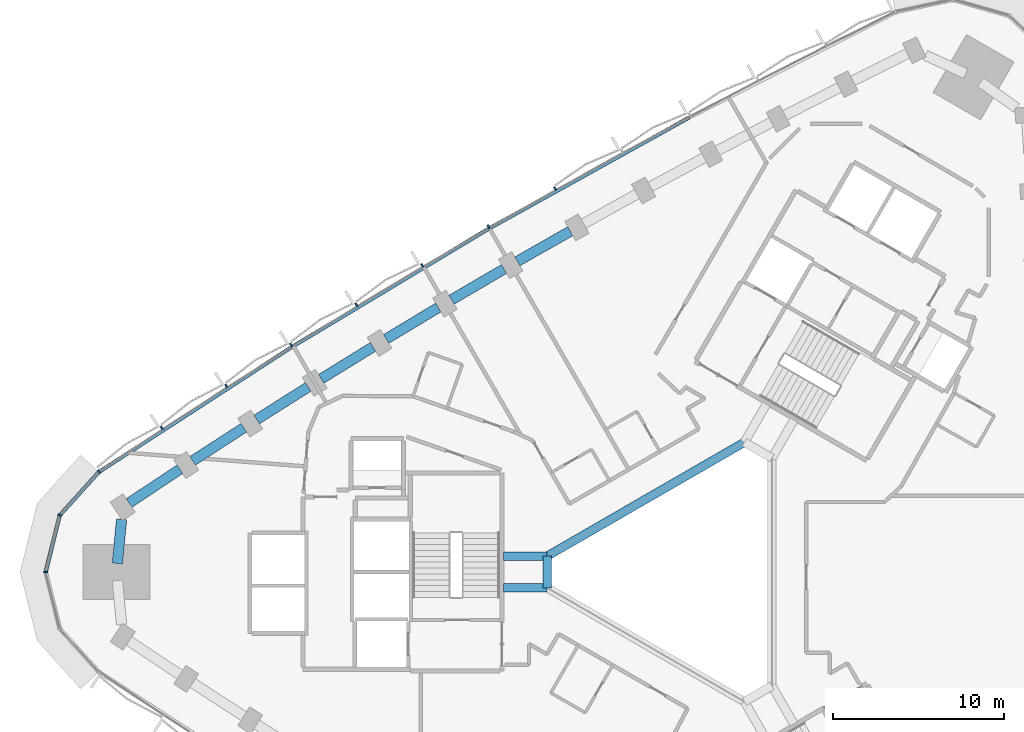
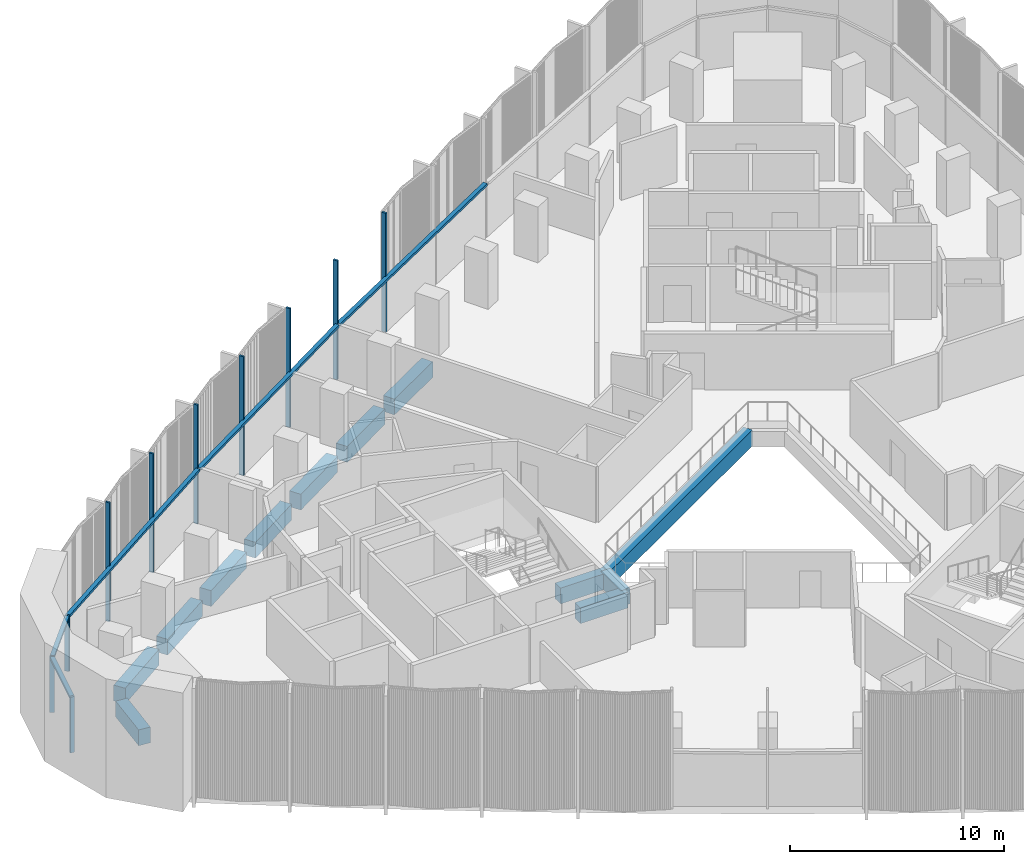
# One storey, part 4 of 15: 15 members, 12 beams, 1 element without a shape of its own.
"""IFC4 building model written with IfcOpenShell, lengths in metres."""

from ifc_helpers import new_model, si_unit, direction, frame, origin, origin_2d, place, context, subcontext, project, spatial, rectangle, extrude, material, material_profile, profile_set, type_object, element, aggregate, save


model = new_model("IFC4")

# Units and contexts
model_context = context("Model", 3, precision=1e-05, world=origin(), true_north=direction((0.0, 1.0)))
body_context = subcontext(model_context, "Body", "Model", "MODEL_VIEW")
ifc_project = project(units=[si_unit("LENGTHUNIT", "METRE"), si_unit("AREAUNIT", "SQUARE_METRE"), si_unit("VOLUMEUNIT", "CUBIC_METRE"), si_unit("PLANEANGLEUNIT", "RADIAN"), si_unit("MASSUNIT", "GRAM", prefix="KILO")], contexts=[model_context])

# Site, building, storey
site_placement = place(None, origin())
site = spatial("IfcSite", under=ifc_project, at=site_placement, CompositionType="ELEMENT")
building_placement = place(site_placement, origin())
building = spatial("IfcBuilding", under=site, at=building_placement, Name="Tamra Quay Hotel Tower", CompositionType="ELEMENT")
storey_placement = place(building_placement, frame((0.0, 0.0, 101.0)))
storey = spatial("IfcBuildingStorey", under=building, at=storey_placement, Name="L24", CompositionType="ELEMENT", Elevation=101.0)

# Beams
ifc_material_1 = material(Name="Concrete M60", Category="concrete")
ifc_material_profile_1 = material_profile(ifc_material_1, rectangle(XDim=0.5, YDim=0.89990234375, at=origin_2d()), Name="ATRIUM EDGE BEAM RC 500x900")
ifc_profile_set_1 = profile_set([ifc_material_profile_1], Name="Concrete M60")
beam_type_1 = type_object("IfcBeamType", Name="ATRIUM EDGE BEAM RC 500x900", PredefinedType="BEAM", material=ifc_profile_set_1)
beam_1_placement = place(storey_placement, frame((-8.199951171875, -0.923828125, -0.875), z_axis=(0.0, 1.0, 0.0), x_axis=(-1.0, 0.0, 0.0)))
element("IfcBeam", 1, at=beam_1_placement, inside=storey, type_object=beam_type_1, Name="BM-AB3-L24", PredefinedType="BEAM", context=body_context, shape_type="SweptSolid", body=[
    extrude(rectangle(XDim=0.5, YDim=0.89990234375, at=origin_2d()), origin(), (0.0, 0.0, 1.0), 1.84765625),
])
beam_2_placement = place(storey_placement, frame((-8.199951171875, 0.923828125, -0.875), z_axis=(0.866029440693, 0.499993007805, 0.0), x_axis=(-0.499993007805, 0.866029440693, 0.0)))
element("IfcBeam", 2, at=beam_2_placement, inside=storey, type_object=beam_type_1, Name="BM-AB4-L24", PredefinedType="BEAM", context=body_context, shape_type="SweptSolid", body=[
    extrude(rectangle(XDim=0.5, YDim=0.89990234375, at=origin_2d()), origin(), (0.0, 0.0, 1.0), 13.279052734375),
])
ifc_material_profile_2 = material_profile(ifc_material_1, rectangle(XDim=0.5, YDim=0.89990234375, at=origin_2d()), Name="ATRIUM TIE BEAM RC 500x900")
ifc_profile_set_2 = profile_set([ifc_material_profile_2], Name="Concrete M60")
beam_type_2 = type_object("IfcBeamType", Name="ATRIUM TIE BEAM RC 500x900", PredefinedType="BEAM", material=ifc_profile_set_2)
for number, where, z_axis, x_axis, name in (
    (3, (-8.199951171875, -0.923828125, -0.875), (-1.0, 0.0, 0.0), (0.0, -1.0, 0.0), "BM-TIE-3-L24"),
    (4, (-8.199951171875, 0.923828125, -0.875), (-1.0, 0.0, 0.0), (0.0, -1.0, 0.0), "BM-TIE-4-L24"),
):
    element("IfcBeam", number, at=place(storey_placement, frame(where, z_axis=z_axis, x_axis=x_axis)), inside=storey, type_object=beam_type_2, Name=name, PredefinedType="BEAM", context=body_context, shape_type="SweptSolid", body=[
        extrude(rectangle(XDim=0.5, YDim=0.89990234375, at=origin_2d()), origin(), (0.0, 0.0, 1.0), 2.562255859375),
    ])

# Curtain wall, members
ifc_material_2 = material(Name="Aluminium 6063 anodised dark grey", Category="aluminium")
curtain_wall_type = type_object("IfcCurtainWallType", Name="CW2 CURTAIN WALL", PredefinedType="NOTDEFINED", material=ifc_material_2)
curtain_wall_placement = place(storey_placement, origin())
curtain_wall = element("IfcCurtainWall", 5, at=curtain_wall_placement, inside=storey, type_object=curtain_wall_type, Name="CW2 north-west face L24", PredefinedType="NOTDEFINED")
ifc_material_profile_3 = material_profile(ifc_material_2, rectangle(XDim=0.219970703125, YDim=0.10009765625, at=origin_2d()), Name="MULLION 100X220")
ifc_profile_set_3 = profile_set([ifc_material_profile_3], Name="Aluminium 6063 anodised dark grey")
member_type_1 = type_object("IfcMemberType", Name="MULLION CW2 Z2", PredefinedType="MULLION", material=ifc_profile_set_3)
member_1_placement = place(storey_placement, frame((-7.739501953125, 22.354248046875, 0.0), z_axis=(0.0, 0.0, 1.0), x_axis=(-0.490074328026, 0.871680648523, 0.0)))
member_1 = element("IfcMember", 6, at=member_1_placement, type_object=member_type_1, Name="CW2 mullion L24.NW.6", PredefinedType="MULLION", context=body_context, shape_type="SweptSolid", body=[
    extrude(rectangle(XDim=0.219970703125, YDim=0.10009765625, at=origin_2d()), origin(), (0.0, 0.0, 1.0), 6.77490234375),
])
member_2_placement = place(storey_placement, frame((-11.62744140625, 20.13916015625, 0.0), z_axis=(0.0, 0.0, 1.0), x_axis=(-0.5, 0.866025403784, 0.0)))
member_2 = element("IfcMember", 7, at=member_2_placement, type_object=member_type_1, Name="CW2 mullion L24.NW.7", PredefinedType="MULLION", context=body_context, shape_type="SweptSolid", body=[
    extrude(rectangle(XDim=0.219970703125, YDim=0.10009765625, at=origin_2d()), origin(), (0.0, 0.0, 1.0), 6.77490234375),
])
member_3_placement = place(storey_placement, frame((-15.489501953125, 17.8798828125, 0.0), z_axis=(0.0, 0.0, 1.0), x_axis=(-0.509860421596, 0.860257142075, 0.0)))
member_3 = element("IfcMember", 8, at=member_3_placement, type_object=member_type_1, Name="CW2 mullion L24.NW.8", PredefinedType="MULLION", context=body_context, shape_type="SweptSolid", body=[
    extrude(rectangle(XDim=0.219970703125, YDim=0.10009765625, at=origin_2d()), origin(), (0.0, 0.0, 1.0), 6.77490234375),
])
member_4_placement = place(storey_placement, frame((-19.32568359375, 15.576416015625, 0.0), z_axis=(0.0, 0.0, 1.0), x_axis=(-0.519650021275, 0.854379222236, 0.0)))
member_4 = element("IfcMember", 9, at=member_4_placement, type_object=member_type_1, Name="CW2 mullion L24.NW.9", PredefinedType="MULLION", context=body_context, shape_type="SweptSolid", body=[
    extrude(rectangle(XDim=0.219970703125, YDim=0.10009765625, at=origin_2d()), origin(), (0.0, 0.0, 1.0), 6.77490234375),
])
member_5_placement = place(storey_placement, frame((-23.13525390625, 13.2294921875, 0.0), z_axis=(0.0, 0.0, 1.0), x_axis=(-0.5293643356, 0.848394601701, 0.0)))
member_5 = element("IfcMember", 10, at=member_5_placement, type_object=member_type_1, Name="CW2 mullion L24.NW.10", PredefinedType="MULLION", context=body_context, shape_type="SweptSolid", body=[
    extrude(rectangle(XDim=0.219970703125, YDim=0.10009765625, at=origin_2d()), origin(), (0.0, 0.0, 1.0), 6.77490234375),
])
member_6_placement = place(storey_placement, frame((-26.91796875, 10.83935546875, 0.0), z_axis=(0.0, 0.0, 1.0), x_axis=(-0.538998516205, 0.842306713453, 0.0)))
member_6 = element("IfcMember", 11, at=member_6_placement, type_object=member_type_1, Name="CW2 mullion L24.NW.11", PredefinedType="MULLION", context=body_context, shape_type="SweptSolid", body=[
    extrude(rectangle(XDim=0.219970703125, YDim=0.10009765625, at=origin_2d()), origin(), (0.0, 0.0, 1.0), 6.77490234375),
])
member_7_placement = place(storey_placement, frame((-30.6728515625, 8.40625, 0.0), z_axis=(0.0, 0.0, 1.0), x_axis=(-0.548547394531, 0.836119462729, 0.0)))
member_7 = element("IfcMember", 12, at=member_7_placement, type_object=member_type_1, Name="CW2 mullion L24.NW.12", PredefinedType="MULLION", context=body_context, shape_type="SweptSolid", body=[
    extrude(rectangle(XDim=0.219970703125, YDim=0.10009765625, at=origin_2d()), origin(), (0.0, 0.0, 1.0), 6.77490234375),
])
member_8_placement = place(storey_placement, frame((-34.338134765625, 5.839599609375, 0.0), z_axis=(0.0, 0.0, 1.0), x_axis=(-0.652886835472, 0.757455464081, 0.0)))
member_8 = element("IfcMember", 13, at=member_8_placement, type_object=member_type_1, Name="CW2 mullion L24.NW.13", PredefinedType="MULLION", context=body_context, shape_type="SweptSolid", body=[
    extrude(rectangle(XDim=0.219970703125, YDim=0.10009765625, at=origin_2d()), origin(), (0.0, 0.0, 1.0), 3.175048828125),
])
member_9_placement = place(storey_placement, frame((-36.623046875, 3.308349609375, 0.0), z_axis=(0.0, 0.0, 1.0), x_axis=(-0.882543846683, 0.47023011248, 0.0)))
member_9 = element("IfcMember", 14, at=member_9_placement, type_object=member_type_1, Name="CW2 mullion L24.NW.14", PredefinedType="MULLION", context=body_context, shape_type="SweptSolid", body=[
    extrude(rectangle(XDim=0.219970703125, YDim=0.10009765625, at=origin_2d()), origin(), (0.0, 0.0, 1.0), 3.175048828125),
])
member_10_placement = place(storey_placement, frame((-37.449462890625, 0.0, 0.0), z_axis=(0.0, 0.0, 1.0), x_axis=(-1.0, 0.0, 0.0)))
member_10 = element("IfcMember", 15, at=member_10_placement, type_object=member_type_1, Name="CW2 mullion L24.NW.15", PredefinedType="MULLION", context=body_context, shape_type="SweptSolid", body=[
    extrude(rectangle(XDim=0.219970703125, YDim=0.10009765625, at=origin_2d()), origin(), (0.0, 0.0, 1.0), 3.175048828125),
])

# Beams
ifc_material_profile_4 = material_profile(ifc_material_1, rectangle(XDim=0.60009765625, YDim=0.89990234375, at=origin_2d()), Name="SPANDREL BEAM RC 600x900")
ifc_profile_set_4 = profile_set([ifc_material_profile_4], Name="Concrete M60")
beam_type_3 = type_object("IfcBeamType", Name="SPANDREL BEAM RC 600x900", PredefinedType="SPANDREL", material=ifc_profile_set_4)
beam_3_placement = place(storey_placement, frame((-6.8583984375, 19.868896484375, -0.875), z_axis=(-0.868869699181, -0.495040852704, 0.0), x_axis=(0.495040852704, -0.868869699181, 0.0)))
element("IfcBeam", 16, at=beam_3_placement, inside=storey, type_object=beam_type_3, Name="BM-SP2-019-L24", PredefinedType="SPANDREL", context=body_context, shape_type="SweptSolid", body=[
    extrude(rectangle(XDim=0.60009765625, YDim=0.89990234375, at=origin_2d()), origin(), (0.0, 0.0, 1.0), 3.544921875),
])
for number, where, z_axis, x_axis, name in (
    (17, (-10.718017578125, 17.6640625, -0.875), (-0.863128698129, -0.504984010109, 0.0), (0.504984010109, -0.863128698129, 0.0), "BM-SP2-020-L24"),
    (18, (-14.552001953125, 15.415283203125, -0.875), (-0.857286231776, -0.514840088578, 0.0), (0.514840088578, -0.857286231776, 0.0), "BM-SP2-021-L24"),
):
    element("IfcBeam", number, at=place(storey_placement, frame(where, z_axis=z_axis, x_axis=x_axis)), inside=storey, type_object=beam_type_3, Name=name, PredefinedType="SPANDREL", context=body_context, shape_type="SweptSolid", body=[
        extrude(rectangle(XDim=0.60009765625, YDim=0.89990234375, at=origin_2d()), origin(), (0.0, 0.0, 1.0), 3.544677734375),
    ])
for number, where, z_axis, x_axis, name in (
    (19, (-18.35986328125, 13.122802734375, -0.875), (-0.851393361846, -0.524527733685, 0.0), (0.524527733685, -0.851393361846, 0.0), "BM-SP2-022-L24"),
    (20, (-22.1416015625, 10.787109375, -0.875), (-0.845333394052, -0.534239134566, 0.0), (0.534239134566, -0.845333394052, 0.0), "BM-SP2-023-L24"),
):
    element("IfcBeam", number, at=place(storey_placement, frame(where, z_axis=z_axis, x_axis=x_axis)), inside=storey, type_object=beam_type_3, Name=name, PredefinedType="SPANDREL", context=body_context, shape_type="SweptSolid", body=[
        extrude(rectangle(XDim=0.60009765625, YDim=0.89990234375, at=origin_2d()), origin(), (0.0, 0.0, 1.0), 3.544921875),
    ])
beam_4_placement = place(storey_placement, frame((-25.896240234375, 8.408203125, -0.875), z_axis=(-0.839237385713, -0.543765216266, 0.0), x_axis=(0.543765216266, -0.839237385713, 0.0)))
element("IfcBeam", 21, at=beam_4_placement, inside=storey, type_object=beam_type_3, Name="BM-SP2-024-L24", PredefinedType="SPANDREL", context=body_context, shape_type="SweptSolid", body=[
    extrude(rectangle(XDim=0.60009765625, YDim=0.89990234375, at=origin_2d()), origin(), (0.0, 0.0, 1.0), 3.544677734375),
])
beam_5_placement = place(storey_placement, frame((-29.623779296875, 5.98681640625, -0.875), z_axis=(-0.832981511469, -0.55330082374, 0.0), x_axis=(0.55330082374, -0.832981511469, 0.0)))
element("IfcBeam", 22, at=beam_5_placement, inside=storey, type_object=beam_type_3, Name="BM-SP2-025-L24", PredefinedType="SPANDREL", context=body_context, shape_type="SweptSolid", body=[
    extrude(rectangle(XDim=0.60009765625, YDim=0.89990234375, at=origin_2d()), origin(), (0.0, 0.0, 1.0), 3.544921875),
])
beam_6_placement = place(storey_placement, frame((-33.019287109375, 3.070556640625, -0.875), z_axis=(-0.09550001445, -0.995429428558, 0.0), x_axis=(0.995429428558, -0.09550001445, 0.0)))
element("IfcBeam", 23, at=beam_6_placement, inside=storey, type_object=beam_type_3, Name="BM-SP2-026-L24", PredefinedType="SPANDREL", context=body_context, shape_type="SweptSolid", body=[
    extrude(rectangle(XDim=0.60009765625, YDim=0.89990234375, at=origin_2d()), origin(), (0.0, 0.0, 1.0), 2.58447265625),
])

# Member
ifc_material_profile_5 = material_profile(ifc_material_2, rectangle(XDim=0.219970703125, YDim=0.139892578125, at=origin_2d()), Name="TRANSOM 220X140")
ifc_profile_set_5 = profile_set([ifc_material_profile_5], Name="Aluminium 6063 anodised dark grey")
member_type_2 = type_object("IfcMemberType", Name="TRANSOM CW2 Z2", PredefinedType="USERDEFINED", material=ifc_profile_set_5)
member_11_placement = place(storey_placement, frame((0.1181640625, 26.52978515625, 3.10498046875), z_axis=(-0.874459721019, -0.485098130605, 0.0), x_axis=(0.485098130605, -0.874459721019, 0.0)))
member_11 = element("IfcMember", 24, at=member_11_placement, type_object=member_type_2, Name="CW2 transom L24.NW.4", ObjectType="TRANSOM", PredefinedType="USERDEFINED", context=body_context, shape_type="SweptSolid", body=[
    extrude(rectangle(XDim=0.219970703125, YDim=0.139892578125, at=origin_2d()), origin(), (0.0, 0.0, 1.0), 13.3193359375),
])

member_12_placement = place(storey_placement, frame((-11.615478515625, 20.018798828125, 3.10498046875), z_axis=(-0.857332765871, -0.514762594372, 0.0), x_axis=(0.514762594372, -0.857332765871, 0.0)))
member_12 = element("IfcMember", 25, at=member_12_placement, type_object=member_type_2, Name="CW2 transom L24.NW.7", ObjectType="TRANSOM", PredefinedType="USERDEFINED", context=body_context, shape_type="SweptSolid", body=[
    extrude(rectangle(XDim=0.219970703125, YDim=0.139892578125, at=origin_2d()), origin(), (0.0, 0.0, 1.0), 13.319091796875),
])

member_13_placement = place(storey_placement, frame((-23.119384765625, 13.109619140625, 3.10498046875), z_axis=(-0.8392271939, -0.543780945804, 0.0), x_axis=(0.543780945804, -0.8392271939, 0.0)))
member_13 = element("IfcMember", 26, at=member_13_placement, type_object=member_type_2, Name="CW2 transom L24.NW.10", ObjectType="TRANSOM", PredefinedType="USERDEFINED", context=body_context, shape_type="SweptSolid", body=[
    extrude(rectangle(XDim=0.219970703125, YDim=0.139892578125, at=origin_2d()), origin(), (0.0, 0.0, 1.0), 13.318115234375),
])

member_14_placement = place(storey_placement, frame((-34.37158203125, 5.802490234375, 3.10498046875), z_axis=(-0.670080516261, -0.742288422196, 0.0), x_axis=(0.742288422196, -0.670080516261, 0.0)))
member_14 = element("IfcMember", 27, at=member_14_placement, type_object=member_type_2, Name="CW2 transom L24.NW.13", ObjectType="TRANSOM", PredefinedType="USERDEFINED", context=body_context, shape_type="SweptSolid", body=[
    extrude(rectangle(XDim=0.219970703125, YDim=0.139892578125, at=origin_2d()), origin(), (0.0, 0.0, 1.0), 3.31005859375),
])

member_15_placement = place(storey_placement, frame((-36.63525390625, 3.260009765625, 3.10498046875), z_axis=(-0.242292652285, -0.970203211007, 0.0), x_axis=(0.970203211007, -0.242292652285, 0.0)))
member_15 = element("IfcMember", 28, at=member_15_placement, type_object=member_type_2, Name="CW2 transom L24.NW.14", ObjectType="TRANSOM", PredefinedType="USERDEFINED", context=body_context, shape_type="SweptSolid", body=[
    extrude(rectangle(XDim=0.219970703125, YDim=0.139892578125, at=origin_2d()), origin(), (0.0, 0.0, 1.0), 3.31005859375),
])

aggregate(curtain_wall, [member_11, member_1, member_2, member_12, member_3, member_4, member_5, member_13, member_6, member_7, member_8, member_14, member_9, member_15, member_10])

save(model, "model.ifc")
